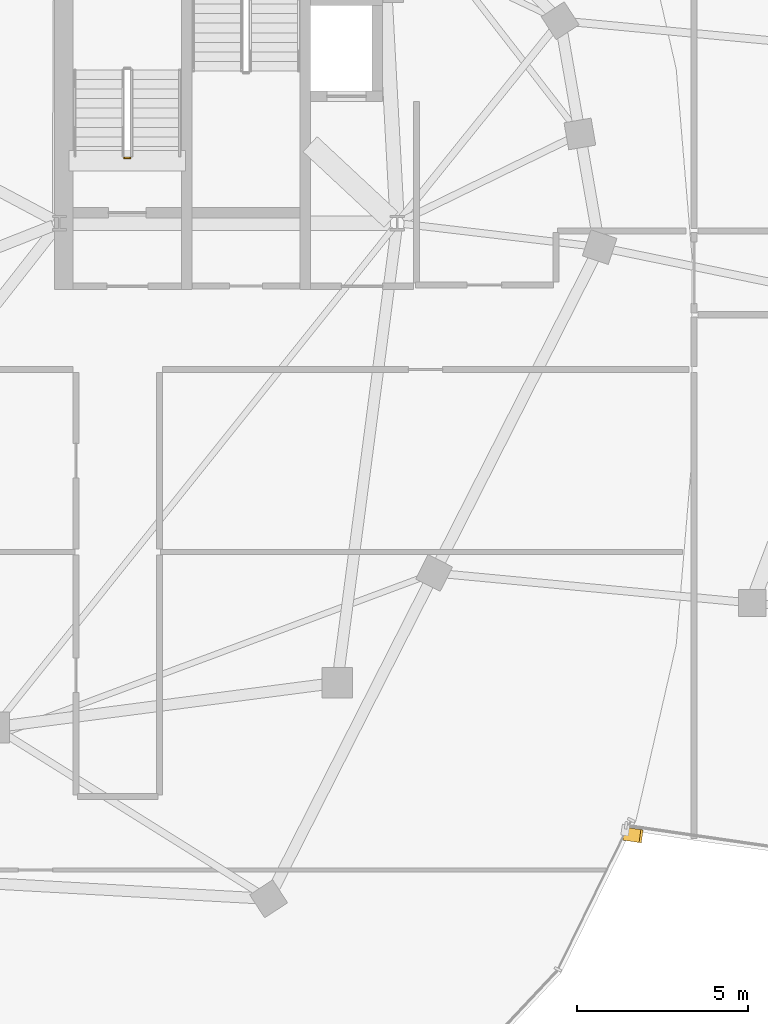
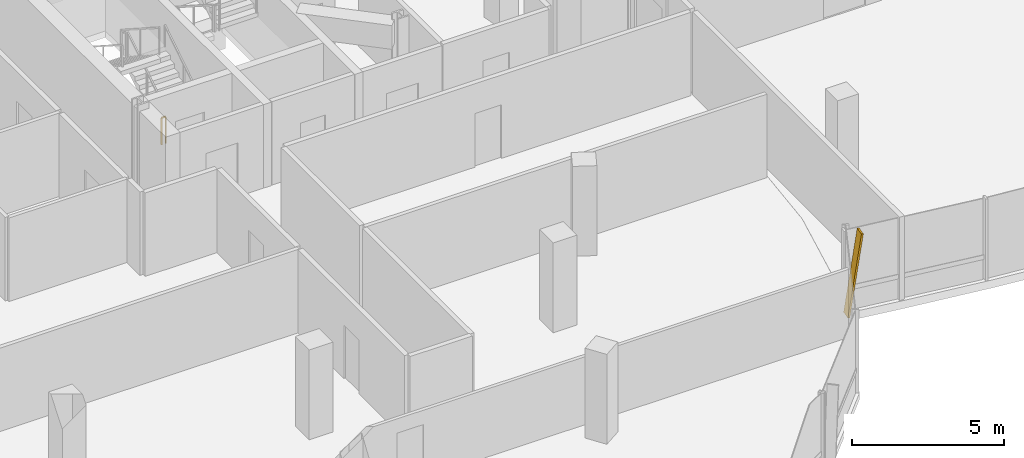
# One storey, part 22 of 26: 1 railing, 1 shading device.
"""IFC4 building model written with IfcOpenShell, lengths in metres."""

from ifc_helpers import new_model, si_unit, direction, frame, origin, origin_2d, place, context, subcontext, project, spatial, rectangle, extrude, material, material_profile, profile_set, type_object, element, save


model = new_model("IFC4")

# Units and contexts
model_context = context("Model", 3, precision=1e-05, world=origin(), true_north=direction((0.0, 1.0)))
body_context = subcontext(model_context, "Body", "Model", "MODEL_VIEW")
ifc_project = project(units=[si_unit("LENGTHUNIT", "METRE"), si_unit("AREAUNIT", "SQUARE_METRE"), si_unit("VOLUMEUNIT", "CUBIC_METRE"), si_unit("PLANEANGLEUNIT", "RADIAN"), si_unit("MASSUNIT", "GRAM", prefix="KILO"), si_unit("THERMODYNAMICTEMPERATUREUNIT", "KELVIN"), si_unit("POWERUNIT", "WATT")], contexts=[model_context])

# Site, building, storey
site_placement = place(None, origin())
site = spatial("IfcSite", under=ifc_project, at=site_placement, CompositionType="ELEMENT")
building_placement = place(site_placement, origin())
building = spatial("IfcBuilding", under=site, at=building_placement, Name="Cundina Bronze Exchange", CompositionType="ELEMENT")
storey_placement = place(building_placement, frame((0.0, 0.0, 264.800048828125)))
storey = spatial("IfcBuildingStorey", under=building, at=storey_placement, Name="L70", CompositionType="ELEMENT", Elevation=264.800048828125)

# Railing
ifc_material_1 = material(Name="Steel ASTM A36 Painted", Category="steel")
railing_type = type_object("IfcRailingType", Name="RLG-STG-1100", PredefinedType="GUARDRAIL", material=ifc_material_1)
railing_placement = place(storey_placement, frame((-29.239990234375, 5.800048828125, 0.0)))
element("IfcRailing", 1, at=railing_placement, inside=storey, type_object=railing_type, Name="L70 ST-W1 stair guard 4", PredefinedType="GUARDRAIL", context=body_context, shape_type="SweptSolid", body=[
    extrude(rectangle(XDim=0.048095703125, YDim=0.048095703125, at=origin_2d()), frame((0.0, 0.0, 1.076171875), z_axis=(-1.0, 0.0, 0.0), x_axis=(0.0, -1.0, 0.0)), (0.0, 0.0, 1.0), 0.159912109375),
    extrude(rectangle(XDim=0.0419921875, YDim=0.0419921875, at=origin_2d()), origin(), (0.0, 0.0, 1.0), 1.052001953125),
    extrude(rectangle(XDim=0.0419921875, YDim=0.0419921875, at=origin_2d()), frame((-0.159912109375, 0.0, 0.0)), (0.0, 0.0, 1.0), 1.052001953125),
])

# Shading device
ifc_material_2 = material(Name="Anodised Bronze Aluminium 6063-T6", Category="aluminium")
ifc_material_profile = material_profile(ifc_material_2, rectangle(XDim=0.070068359375, YDim=0.3798828125, at=origin_2d()), Name="FIN70X380", Category="aluminium")
ifc_profile_set = profile_set([ifc_material_profile], Name="Anodised Bronze Aluminium 6063-T6")
shading_device_type = type_object("IfcShadingDeviceType", Name="SHD-FIN-BRZ380", PredefinedType="USERDEFINED", material=ifc_profile_set)
shading_device_placement = place(storey_placement, frame((-14.8154296875, -13.90625, 0.02001953125), z_axis=(0.145051508968, -0.021168873868, 0.989197623595), x_axis=(-0.978828704224, 0.142850643371, 0.1465880673)))
element("IfcShadingDevice", 2, at=shading_device_placement, inside=storey, type_object=shading_device_type, Name="L70 Diagonal Bronze Solar Fin 1", ObjectType="FIN", PredefinedType="USERDEFINED", context=body_context, shape_type="SweptSolid", body=[
    extrude(rectangle(XDim=0.070068359375, YDim=0.3798828125, at=origin_2d()), origin(), (0.0, 0.0, 1.0), 3.275390625),
])

save(model, "model.ifc")
